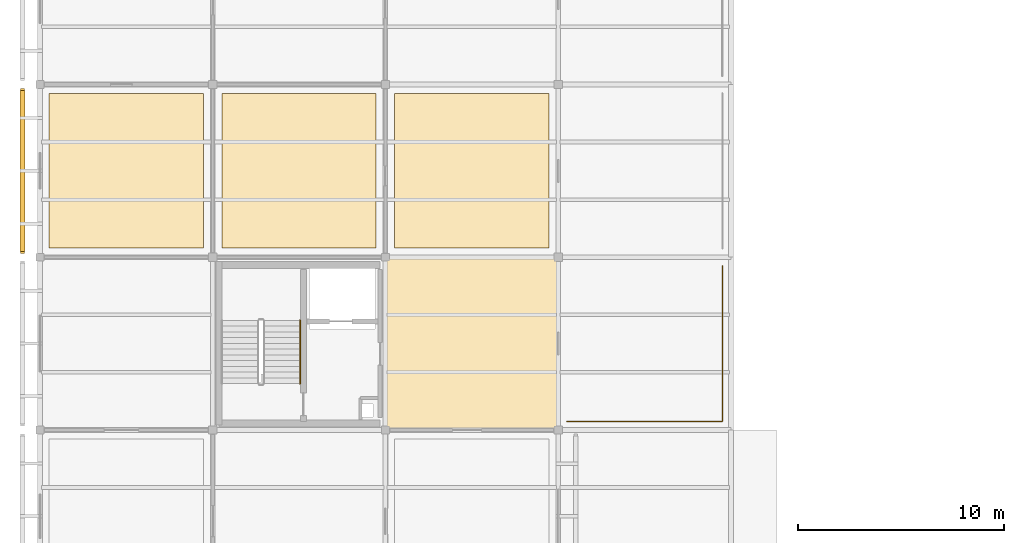
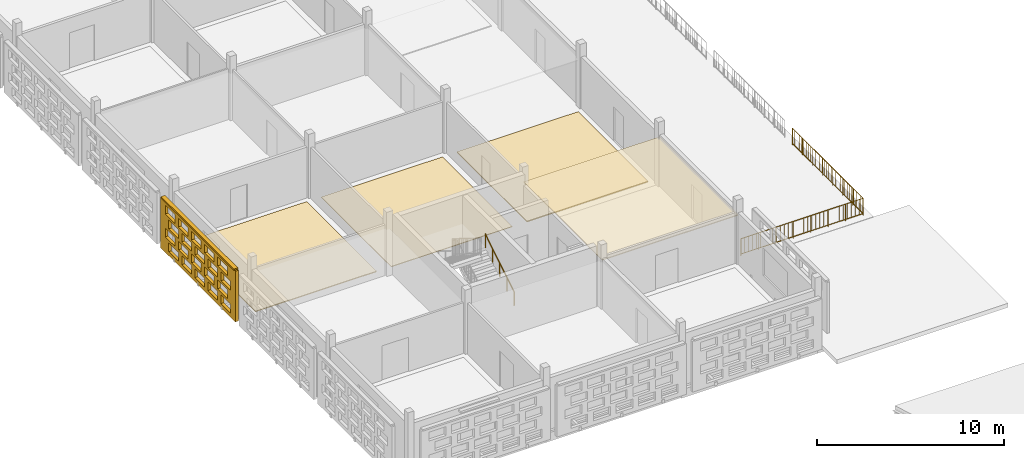
# One storey, part 25 of 31: 5 coverings, 3 railings, 1 shading device, 20 openings.
"""IFC4 building model written with IfcOpenShell, lengths in metres."""

from ifc_helpers import new_model, si_unit, direction, frame, frame_2d, origin, origin_2d, place, context, subcontext, project, spatial, rectangle, circle, extrude, material, layer, layer_set, type_object, element, save


model = new_model("IFC4")

# Units and contexts
model_context = context("Model", 3, precision=1e-05, world=origin(), true_north=direction((0.0, 1.0)))
body_context = subcontext(model_context, "Body", "Model", "MODEL_VIEW")
ifc_project = project(units=[si_unit("LENGTHUNIT", "METRE"), si_unit("AREAUNIT", "SQUARE_METRE"), si_unit("VOLUMEUNIT", "CUBIC_METRE"), si_unit("PLANEANGLEUNIT", "RADIAN"), si_unit("MASSUNIT", "GRAM", prefix="KILO")], contexts=[model_context])

# Site, building, storey
site_placement = place(None, origin())
site = spatial("IfcSite", under=ifc_project, at=site_placement, CompositionType="ELEMENT")
building_placement = place(site_placement, origin())
building = spatial("IfcBuilding", under=site, at=building_placement, Name="Varnapada Polytechnic", CompositionType="ELEMENT")
storey_placement = place(building_placement, frame((0.0, 0.0, 22.199951171875)))
storey = spatial("IfcBuildingStorey", under=building, at=storey_placement, Name="L05", CompositionType="ELEMENT", Elevation=22.199951171875)

# Coverings
ifc_material_1 = material(Name="Anti-Static Raised Laboratory Flooring")
ifc_layer_1 = layer(ifc_material_1, 0.06005859375)
ifc_layer_set_1 = layer_set([ifc_layer_1], Name="Anti-Static Raised Laboratory Flooring")
covering_type_1 = type_object("IfcCoveringType", Name="Floor Finish FLR-02", PredefinedType="FLOORING", material=ifc_layer_set_1)
covering_1_placement = place(storey_placement, frame((21.0, 71.39990234375, 0.0), z_axis=(0.0, 0.0, 1.0), x_axis=(1.0, 0.0, 0.0)))
element("IfcCovering", 1, at=covering_1_placement, inside=storey, type_object=covering_type_1, Name="L05 floor finish panel (3,9)", PredefinedType="FLOORING", context=body_context, shape_type="SweptSolid", body=[
    extrude(rectangle(XDim=7.5, YDim=7.5, at=origin_2d()), origin(), (0.0, 0.0, 1.0), 0.06005859375),
])
ifc_material_2 = material(Name="End-Grain Timber Studio Block Flooring", Category="wood")
ifc_layer_2 = layer(ifc_material_2, 0.054931640625)
ifc_layer_set_2 = layer_set([ifc_layer_2], Name="End-Grain Timber Studio Block Flooring")
covering_type_2 = type_object("IfcCoveringType", Name="Floor Finish FLR-04", PredefinedType="FLOORING", material=ifc_layer_set_2)
covering_2_placement = place(storey_placement, frame((4.199951171875, 71.39990234375, 0.0), z_axis=(0.0, 0.0, 1.0), x_axis=(1.0, 0.0, 0.0)))
element("IfcCovering", 2, at=covering_2_placement, inside=storey, type_object=covering_type_2, Name="L05 floor finish panel (1,9)", PredefinedType="FLOORING", context=body_context, shape_type="SweptSolid", body=[
    extrude(rectangle(XDim=7.5, YDim=7.5, at=origin_2d()), origin(), (0.0, 0.0, 1.0), 0.054931640625),
])
ifc_material_3 = material(Name="Acoustic Rubber Seminar Flooring")
ifc_layer_3 = layer(ifc_material_3, 0.0400390625)
ifc_layer_set_3 = layer_set([ifc_layer_3], Name="Acoustic Rubber Seminar Flooring")
covering_type_3 = type_object("IfcCoveringType", Name="Floor Finish FLR-06", PredefinedType="FLOORING", material=ifc_layer_set_3)
covering_3_placement = place(storey_placement, frame((12.60009765625, 71.39990234375, 0.0), z_axis=(0.0, 0.0, 1.0), x_axis=(1.0, 0.0, 0.0)))
element("IfcCovering", 3, at=covering_3_placement, inside=storey, type_object=covering_type_3, Name="L05 floor finish panel (2,9)", PredefinedType="FLOORING", context=body_context, shape_type="SweptSolid", body=[
    extrude(rectangle(XDim=7.5, YDim=7.5, at=origin_2d()), origin(), (0.0, 0.0, 1.0), 0.0400390625),
])

# Railing
ifc_material_4 = material(Name="Brushed Stainless Steel 316", Category="steel")
railing_type_1 = type_object("IfcRailingType", Name="Stair Wall Handrail SHR-01", PredefinedType="HANDRAIL", material=ifc_material_4)
railing_1_placement = place(storey_placement, frame((12.64990234375, 61.050048828125, 0.175048828125)))
element("IfcRailing", 4, at=railing_1_placement, inside=storey, type_object=railing_type_1, Name="L05 ST-2 stair handrail 1", PredefinedType="HANDRAIL", context=body_context, shape_type="SweptSolid", body=[
    extrude(circle(Radius=0.02392578125, at=origin_2d()), frame((0.0, 0.0, 0.8759765625), z_axis=(0.0, 0.847979421464, 0.530029150871), x_axis=(-1.0, 0.0, 0.0)), (0.0, 0.0, 1.0), 3.632080078125),
    extrude(circle(Radius=0.02099609375, at=origin_2d()), origin(), (0.0, 0.0, 1.0), 0.851806640625),
    extrude(circle(Radius=0.02099609375, at=origin_2d()), frame((0.0, 0.77001953125, 0.481201171875)), (0.0, 0.0, 1.0), 0.851806640625),
    extrude(circle(Radius=0.02099609375, at=origin_2d()), frame((0.0, 1.5400390625, 0.96240234375)), (0.0, 0.0, 1.0), 0.851806640625),
    extrude(circle(Radius=0.02099609375, at=origin_2d()), frame((0.0, 2.309814453125, 1.44384765625)), (0.0, 0.0, 1.0), 0.851806640625),
    extrude(circle(Radius=0.02099609375, at=origin_2d()), frame((0.0, 3.079833984375, 1.925048828125)), (0.0, 0.0, 1.0), 0.851806640625),
])

# Covering
ifc_material_5 = material(Name="Slatted Merbau Timber Acoustic Ceiling", Category="wood")
ifc_layer_4 = layer(ifc_material_5, 0.054931640625)
ifc_layer_set_4 = layer_set([ifc_layer_4], Name="Slatted Merbau Timber Acoustic Ceiling")
covering_type_4 = type_object("IfcCoveringType", Name="Suspended Ceiling CLG-05", PredefinedType="CEILING", material=ifc_layer_set_4)
covering_4_placement = place(storey_placement, frame((21.0, 63.0, 3.0224609375), z_axis=(0.0, 0.0, 1.0), x_axis=(1.0, 0.0, 0.0)))
element("IfcCovering", 5, at=covering_4_placement, inside=storey, type_object=covering_type_4, Name="L05 suspended acoustic ceiling (3,8)", PredefinedType="CEILING", context=body_context, shape_type="SweptSolid", body=[
    extrude(rectangle(XDim=8.419921875, YDim=8.419921875, at=origin_2d()), origin(), (0.0, 0.0, 1.0), 0.054931640625),
])

# Railings
ifc_material_6 = material(Name="Painted galvanized steel", Category="steel")
railing_type_2 = type_object("IfcRailingType", Name="Terrace Guard Rail GRD-01", PredefinedType="BALUSTRADE", material=ifc_material_6)
railing_2_placement = place(storey_placement, frame((25.6201171875, 59.219970703125, 0.0)))
element("IfcRailing", 6, at=railing_2_placement, inside=storey, type_object=railing_type_2, Name="L05 terrace perimeter guard rail 1", PredefinedType="BALUSTRADE", context=body_context, shape_type="SweptSolid", body=[
    extrude(circle(Radius=0.02392578125, at=origin_2d()), frame((0.0, 0.0, 1.09619140625), z_axis=(1.0, 0.0, 0.0), x_axis=(0.0, 1.0, 0.0)), (0.0, 0.0, 1.0), 7.559814453125),
    extrude(circle(Radius=0.02392578125, at=origin_2d()), frame((0.0, 0.0, 0.10009765625), z_axis=(1.0, 0.0, 0.0), x_axis=(0.0, 1.0, 0.0)), (0.0, 0.0, 1.0), 7.559814453125),
    extrude(circle(Radius=0.02099609375, at=origin_2d()), origin(), (0.0, 0.0, 1.0), 1.072021484375),
    extrude(circle(Radius=0.02099609375, at=origin_2d()), frame((1.080078125, 0.0, 0.0)), (0.0, 0.0, 1.0), 1.072021484375),
    extrude(circle(Radius=0.02099609375, at=origin_2d()), frame((2.159912109375, 0.0, 0.0)), (0.0, 0.0, 1.0), 1.072021484375),
    extrude(circle(Radius=0.02099609375, at=origin_2d()), frame((3.239990234375, 0.0, 0.0)), (0.0, 0.0, 1.0), 1.072021484375),
    extrude(circle(Radius=0.02099609375, at=origin_2d()), frame((4.31982421875, 0.0, 0.0)), (0.0, 0.0, 1.0), 1.072021484375),
    extrude(circle(Radius=0.02099609375, at=origin_2d()), frame((5.39990234375, 0.0, 0.0)), (0.0, 0.0, 1.0), 1.072021484375),
    extrude(circle(Radius=0.02099609375, at=origin_2d()), frame((6.479736328125, 0.0, 0.0)), (0.0, 0.0, 1.0), 1.072021484375),
    extrude(circle(Radius=0.02099609375, at=origin_2d()), frame((7.559814453125, 0.0, 0.0)), (0.0, 0.0, 1.0), 1.072021484375),
    extrude(circle(Radius=0.010009765625, at=origin_2d()), frame((0.243896484375, 0.0, 0.10009765625)), (0.0, 0.0, 1.0), 0.971923828125),
    extrude(circle(Radius=0.010009765625, at=origin_2d()), frame((0.48779296875, 0.0, 0.10009765625)), (0.0, 0.0, 1.0), 0.971923828125),
    extrude(circle(Radius=0.010009765625, at=origin_2d()), frame((0.731689453125, 0.0, 0.10009765625)), (0.0, 0.0, 1.0), 0.971923828125),
    extrude(circle(Radius=0.010009765625, at=origin_2d()), frame((0.975341796875, 0.0, 0.10009765625)), (0.0, 0.0, 1.0), 0.971923828125),
    extrude(circle(Radius=0.010009765625, at=origin_2d()), frame((1.21923828125, 0.0, 0.10009765625)), (0.0, 0.0, 1.0), 0.971923828125),
    extrude(circle(Radius=0.010009765625, at=origin_2d()), frame((1.463134765625, 0.0, 0.10009765625)), (0.0, 0.0, 1.0), 0.971923828125),
    extrude(circle(Radius=0.010009765625, at=origin_2d()), frame((1.70703125, 0.0, 0.10009765625)), (0.0, 0.0, 1.0), 0.971923828125),
    extrude(circle(Radius=0.010009765625, at=origin_2d()), frame((1.950927734375, 0.0, 0.10009765625)), (0.0, 0.0, 1.0), 0.971923828125),
    extrude(circle(Radius=0.010009765625, at=origin_2d()), frame((2.19482421875, 0.0, 0.10009765625)), (0.0, 0.0, 1.0), 0.971923828125),
    extrude(circle(Radius=0.010009765625, at=origin_2d()), frame((2.438720703125, 0.0, 0.10009765625)), (0.0, 0.0, 1.0), 0.971923828125),
    extrude(circle(Radius=0.010009765625, at=origin_2d()), frame((2.6826171875, 0.0, 0.10009765625)), (0.0, 0.0, 1.0), 0.971923828125),
    extrude(circle(Radius=0.010009765625, at=origin_2d()), frame((2.92626953125, 0.0, 0.10009765625)), (0.0, 0.0, 1.0), 0.971923828125),
    extrude(circle(Radius=0.010009765625, at=origin_2d()), frame((3.170166015625, 0.0, 0.10009765625)), (0.0, 0.0, 1.0), 0.971923828125),
    extrude(circle(Radius=0.010009765625, at=origin_2d()), frame((3.4140625, 0.0, 0.10009765625)), (0.0, 0.0, 1.0), 0.971923828125),
    extrude(circle(Radius=0.010009765625, at=origin_2d()), frame((3.657958984375, 0.0, 0.10009765625)), (0.0, 0.0, 1.0), 0.971923828125),
    extrude(circle(Radius=0.010009765625, at=origin_2d()), frame((3.90185546875, 0.0, 0.10009765625)), (0.0, 0.0, 1.0), 0.971923828125),
    extrude(circle(Radius=0.010009765625, at=origin_2d()), frame((4.145751953125, 0.0, 0.10009765625)), (0.0, 0.0, 1.0), 0.971923828125),
    extrude(circle(Radius=0.010009765625, at=origin_2d()), frame((4.3896484375, 0.0, 0.10009765625)), (0.0, 0.0, 1.0), 0.971923828125),
    extrude(circle(Radius=0.010009765625, at=origin_2d()), frame((4.633544921875, 0.0, 0.10009765625)), (0.0, 0.0, 1.0), 0.971923828125),
    extrude(circle(Radius=0.010009765625, at=origin_2d()), frame((4.877197265625, 0.0, 0.10009765625)), (0.0, 0.0, 1.0), 0.971923828125),
    extrude(circle(Radius=0.010009765625, at=origin_2d()), frame((5.12109375, 0.0, 0.10009765625)), (0.0, 0.0, 1.0), 0.971923828125),
    extrude(circle(Radius=0.010009765625, at=origin_2d()), frame((5.364990234375, 0.0, 0.10009765625)), (0.0, 0.0, 1.0), 0.971923828125),
    extrude(circle(Radius=0.010009765625, at=origin_2d()), frame((5.60888671875, 0.0, 0.10009765625)), (0.0, 0.0, 1.0), 0.971923828125),
    extrude(circle(Radius=0.010009765625, at=origin_2d()), frame((5.852783203125, 0.0, 0.10009765625)), (0.0, 0.0, 1.0), 0.971923828125),
    extrude(circle(Radius=0.010009765625, at=origin_2d()), frame((6.0966796875, 0.0, 0.10009765625)), (0.0, 0.0, 1.0), 0.971923828125),
    extrude(circle(Radius=0.010009765625, at=origin_2d()), frame((6.340576171875, 0.0, 0.10009765625)), (0.0, 0.0, 1.0), 0.971923828125),
    extrude(circle(Radius=0.010009765625, at=origin_2d()), frame((6.58447265625, 0.0, 0.10009765625)), (0.0, 0.0, 1.0), 0.971923828125),
    extrude(circle(Radius=0.010009765625, at=origin_2d()), frame((6.828125, 0.0, 0.10009765625)), (0.0, 0.0, 1.0), 0.971923828125),
    extrude(circle(Radius=0.010009765625, at=origin_2d()), frame((7.072021484375, 0.0, 0.10009765625)), (0.0, 0.0, 1.0), 0.971923828125),
    extrude(circle(Radius=0.010009765625, at=origin_2d()), frame((7.31591796875, 0.0, 0.10009765625)), (0.0, 0.0, 1.0), 0.971923828125),
])
railing_3_placement = place(storey_placement, frame((33.179931640625, 59.219970703125, 0.0)))
element("IfcRailing", 7, at=railing_3_placement, inside=storey, type_object=railing_type_2, Name="L05 terrace perimeter guard rail 2", PredefinedType="BALUSTRADE", context=body_context, shape_type="SweptSolid", body=[
    extrude(circle(Radius=0.02392578125, at=origin_2d()), frame((0.0, 0.0, 1.09619140625), z_axis=(0.0, 1.0, 0.0), x_axis=(-1.0, 0.0, 0.0)), (0.0, 0.0, 1.0), 7.56005859375),
    extrude(circle(Radius=0.02392578125, at=origin_2d()), frame((0.0, 0.0, 0.10009765625), z_axis=(0.0, 1.0, 0.0), x_axis=(-1.0, 0.0, 0.0)), (0.0, 0.0, 1.0), 7.56005859375),
    extrude(circle(Radius=0.02099609375, at=origin_2d()), origin(), (0.0, 0.0, 1.0), 1.072021484375),
    extrude(circle(Radius=0.02099609375, at=origin_2d()), frame((0.0, 1.080078125, 0.0)), (0.0, 0.0, 1.0), 1.072021484375),
    extrude(circle(Radius=0.02099609375, at=origin_2d()), frame((0.0, 2.159912109375, 0.0)), (0.0, 0.0, 1.0), 1.072021484375),
    extrude(circle(Radius=0.02099609375, at=origin_2d()), frame((0.0, 3.239990234375, 0.0)), (0.0, 0.0, 1.0), 1.072021484375),
    extrude(circle(Radius=0.02099609375, at=origin_2d()), frame((0.0, 4.320068359375, 0.0)), (0.0, 0.0, 1.0), 1.072021484375),
    extrude(circle(Radius=0.02099609375, at=origin_2d()), frame((0.0, 5.400146484375, 0.0)), (0.0, 0.0, 1.0), 1.072021484375),
    extrude(circle(Radius=0.02099609375, at=origin_2d()), frame((0.0, 6.47998046875, 0.0)), (0.0, 0.0, 1.0), 1.072021484375),
    extrude(circle(Radius=0.02099609375, at=origin_2d()), frame((0.0, 7.56005859375, 0.0)), (0.0, 0.0, 1.0), 1.072021484375),
    extrude(circle(Radius=0.010009765625, at=origin_2d()), frame((0.0, 0.243896484375, 0.10009765625)), (0.0, 0.0, 1.0), 0.971923828125),
    extrude(circle(Radius=0.010009765625, at=origin_2d()), frame((0.0, 0.48779296875, 0.10009765625)), (0.0, 0.0, 1.0), 0.971923828125),
    extrude(circle(Radius=0.010009765625, at=origin_2d()), frame((0.0, 0.731689453125, 0.10009765625)), (0.0, 0.0, 1.0), 0.971923828125),
    extrude(circle(Radius=0.010009765625, at=origin_2d()), frame((0.0, 0.9755859375, 0.10009765625)), (0.0, 0.0, 1.0), 0.971923828125),
    extrude(circle(Radius=0.010009765625, at=origin_2d()), frame((0.0, 1.219482421875, 0.10009765625)), (0.0, 0.0, 1.0), 0.971923828125),
    extrude(circle(Radius=0.010009765625, at=origin_2d()), frame((0.0, 1.463134765625, 0.10009765625)), (0.0, 0.0, 1.0), 0.971923828125),
    extrude(circle(Radius=0.010009765625, at=origin_2d()), frame((0.0, 1.70703125, 0.10009765625)), (0.0, 0.0, 1.0), 0.971923828125),
    extrude(circle(Radius=0.010009765625, at=origin_2d()), frame((0.0, 1.950927734375, 0.10009765625)), (0.0, 0.0, 1.0), 0.971923828125),
    extrude(circle(Radius=0.010009765625, at=origin_2d()), frame((0.0, 2.19482421875, 0.10009765625)), (0.0, 0.0, 1.0), 0.971923828125),
    extrude(circle(Radius=0.010009765625, at=origin_2d()), frame((0.0, 2.438720703125, 0.10009765625)), (0.0, 0.0, 1.0), 0.971923828125),
    extrude(circle(Radius=0.010009765625, at=origin_2d()), frame((0.0, 2.6826171875, 0.10009765625)), (0.0, 0.0, 1.0), 0.971923828125),
    extrude(circle(Radius=0.010009765625, at=origin_2d()), frame((0.0, 2.926513671875, 0.10009765625)), (0.0, 0.0, 1.0), 0.971923828125),
    extrude(circle(Radius=0.010009765625, at=origin_2d()), frame((0.0, 3.17041015625, 0.10009765625)), (0.0, 0.0, 1.0), 0.971923828125),
    extrude(circle(Radius=0.010009765625, at=origin_2d()), frame((0.0, 3.414306640625, 0.10009765625)), (0.0, 0.0, 1.0), 0.971923828125),
    extrude(circle(Radius=0.010009765625, at=origin_2d()), frame((0.0, 3.658203125, 0.10009765625)), (0.0, 0.0, 1.0), 0.971923828125),
    extrude(circle(Radius=0.010009765625, at=origin_2d()), frame((0.0, 3.90185546875, 0.10009765625)), (0.0, 0.0, 1.0), 0.971923828125),
    extrude(circle(Radius=0.010009765625, at=origin_2d()), frame((0.0, 4.145751953125, 0.10009765625)), (0.0, 0.0, 1.0), 0.971923828125),
    extrude(circle(Radius=0.010009765625, at=origin_2d()), frame((0.0, 4.3896484375, 0.10009765625)), (0.0, 0.0, 1.0), 0.971923828125),
    extrude(circle(Radius=0.010009765625, at=origin_2d()), frame((0.0, 4.633544921875, 0.10009765625)), (0.0, 0.0, 1.0), 0.971923828125),
    extrude(circle(Radius=0.010009765625, at=origin_2d()), frame((0.0, 4.87744140625, 0.10009765625)), (0.0, 0.0, 1.0), 0.971923828125),
    extrude(circle(Radius=0.010009765625, at=origin_2d()), frame((0.0, 5.121337890625, 0.10009765625)), (0.0, 0.0, 1.0), 0.971923828125),
    extrude(circle(Radius=0.010009765625, at=origin_2d()), frame((0.0, 5.365234375, 0.10009765625)), (0.0, 0.0, 1.0), 0.971923828125),
    extrude(circle(Radius=0.010009765625, at=origin_2d()), frame((0.0, 5.609130859375, 0.10009765625)), (0.0, 0.0, 1.0), 0.971923828125),
    extrude(circle(Radius=0.010009765625, at=origin_2d()), frame((0.0, 5.85302734375, 0.10009765625)), (0.0, 0.0, 1.0), 0.971923828125),
    extrude(circle(Radius=0.010009765625, at=origin_2d()), frame((0.0, 6.096923828125, 0.10009765625)), (0.0, 0.0, 1.0), 0.971923828125),
    extrude(circle(Radius=0.010009765625, at=origin_2d()), frame((0.0, 6.340576171875, 0.10009765625)), (0.0, 0.0, 1.0), 0.971923828125),
    extrude(circle(Radius=0.010009765625, at=origin_2d()), frame((0.0, 6.58447265625, 0.10009765625)), (0.0, 0.0, 1.0), 0.971923828125),
    extrude(circle(Radius=0.010009765625, at=origin_2d()), frame((0.0, 6.828369140625, 0.10009765625)), (0.0, 0.0, 1.0), 0.971923828125),
    extrude(circle(Radius=0.010009765625, at=origin_2d()), frame((0.0, 7.072265625, 0.10009765625)), (0.0, 0.0, 1.0), 0.971923828125),
    extrude(circle(Radius=0.010009765625, at=origin_2d()), frame((0.0, 7.316162109375, 0.10009765625)), (0.0, 0.0, 1.0), 0.971923828125),
])

# Covering, openings
ifc_material_7 = material(Name="Earth-toned architectural terracotta screen block", Category="masonry")
ifc_layer_5 = layer(ifc_material_7, 0.1201171875)
ifc_layer_set_5 = layer_set([ifc_layer_5], Name="Earth-toned architectural terracotta screen block")
covering_type_5 = type_object("IfcCoveringType", Name="Terracotta Screen Cladding CLD-01", PredefinedType="CLADDING", material=ifc_layer_set_5)
covering_5_placement = place(storey_placement, frame((-0.85009765625, 67.389892578125, 0.0), z_axis=(0.0, 0.0, 1.0), x_axis=(0.0, 1.0, 0.0)))
covering_5 = element("IfcCovering", 8, at=covering_5_placement, inside=storey, type_object=covering_type_5, Name="L05 perforated terracotta block screen (4)", PredefinedType="CLADDING", context=body_context, shape_type="SweptSolid", body=[
    extrude(rectangle(XDim=8.02001953125, YDim=0.179931640625, at=frame_2d((4.010009765625, 0.0))), origin(), (0.0, 0.0, 1.0), 3.320068359375),
])
opening_1_placement = place(covering_5_placement, frame((0.510009765625, 0.0, 0.265625)))
element("IfcOpeningElement", 9, at=opening_1_placement, cuts=covering_5, Name="Screen perforation TBS-L05-003.1", PredefinedType="OPENING", context=body_context, shape_type="SweptSolid", body=[
    extrude(rectangle(XDim=1.0400390625, YDim=0.5810546875, at=frame_2d((0.52001953125, 0.29052734375))), frame((0.0, 0.099853515625, 0.0), z_axis=(0.0, -1.0, 0.0), x_axis=(1.0, 0.0, 0.0)), (0.0, 0.0, 1.0), 0.199951171875),
])
opening_2_placement = place(covering_5_placement, frame((1.909912109375, 0.0, 0.265625)))
element("IfcOpeningElement", 10, at=opening_2_placement, cuts=covering_5, Name="Screen perforation TBS-L05-003.2", PredefinedType="OPENING", context=body_context, shape_type="SweptSolid", body=[
    extrude(rectangle(XDim=1.0400390625, YDim=0.5810546875, at=frame_2d((0.52001953125, 0.29052734375))), frame((0.0, 0.099853515625, 0.0), z_axis=(0.0, -1.0, 0.0), x_axis=(1.0, 0.0, 0.0)), (0.0, 0.0, 1.0), 0.199951171875),
])
opening_3_placement = place(covering_5_placement, frame((3.31005859375, 0.0, 0.265625)))
element("IfcOpeningElement", 11, at=opening_3_placement, cuts=covering_5, Name="Screen perforation TBS-L05-003.3", PredefinedType="OPENING", context=body_context, shape_type="SweptSolid", body=[
    extrude(rectangle(XDim=1.0400390625, YDim=0.5810546875, at=frame_2d((0.52001953125, 0.29052734375))), frame((0.0, 0.099853515625, 0.0), z_axis=(0.0, -1.0, 0.0), x_axis=(1.0, 0.0, 0.0)), (0.0, 0.0, 1.0), 0.199951171875),
])
opening_4_placement = place(covering_5_placement, frame((4.7099609375, 0.0, 0.265625)))
element("IfcOpeningElement", 12, at=opening_4_placement, cuts=covering_5, Name="Screen perforation TBS-L05-003.4", PredefinedType="OPENING", context=body_context, shape_type="SweptSolid", body=[
    extrude(rectangle(XDim=1.0400390625, YDim=0.5810546875, at=frame_2d((0.52001953125, 0.29052734375))), frame((0.0, 0.099853515625, 0.0), z_axis=(0.0, -1.0, 0.0), x_axis=(1.0, 0.0, 0.0)), (0.0, 0.0, 1.0), 0.199951171875),
])
opening_5_placement = place(covering_5_placement, frame((6.110107421875, 0.0, 0.265625)))
element("IfcOpeningElement", 13, at=opening_5_placement, cuts=covering_5, Name="Screen perforation TBS-L05-003.5", PredefinedType="OPENING", context=body_context, shape_type="SweptSolid", body=[
    extrude(rectangle(XDim=1.0400390625, YDim=0.5810546875, at=frame_2d((0.52001953125, 0.29052734375))), frame((0.0, 0.099853515625, 0.0), z_axis=(0.0, -1.0, 0.0), x_axis=(1.0, 0.0, 0.0)), (0.0, 0.0, 1.0), 0.199951171875),
])
opening_6_placement = place(covering_5_placement, frame((0.8701171875, 0.0, 1.0126953125)))
element("IfcOpeningElement", 14, at=opening_6_placement, cuts=covering_5, Name="Screen perforation TBS-L05-003.6", PredefinedType="OPENING", context=body_context, shape_type="SweptSolid", body=[
    extrude(rectangle(XDim=1.0400390625, YDim=0.5810546875, at=frame_2d((0.52001953125, 0.29052734375))), frame((0.0, 0.099853515625, 0.0), z_axis=(0.0, -1.0, 0.0), x_axis=(1.0, 0.0, 0.0)), (0.0, 0.0, 1.0), 0.199951171875),
])
opening_7_placement = place(covering_5_placement, frame((2.27001953125, 0.0, 1.0126953125)))
element("IfcOpeningElement", 15, at=opening_7_placement, cuts=covering_5, Name="Screen perforation TBS-L05-003.7", PredefinedType="OPENING", context=body_context, shape_type="SweptSolid", body=[
    extrude(rectangle(XDim=1.0400390625, YDim=0.5810546875, at=frame_2d((0.52001953125, 0.29052734375))), frame((0.0, 0.099853515625, 0.0), z_axis=(0.0, -1.0, 0.0), x_axis=(1.0, 0.0, 0.0)), (0.0, 0.0, 1.0), 0.199951171875),
])
opening_8_placement = place(covering_5_placement, frame((3.669921875, 0.0, 1.0126953125)))
element("IfcOpeningElement", 16, at=opening_8_placement, cuts=covering_5, Name="Screen perforation TBS-L05-003.8", PredefinedType="OPENING", context=body_context, shape_type="SweptSolid", body=[
    extrude(rectangle(XDim=1.0400390625, YDim=0.5810546875, at=frame_2d((0.52001953125, 0.29052734375))), frame((0.0, 0.099853515625, 0.0), z_axis=(0.0, -1.0, 0.0), x_axis=(1.0, 0.0, 0.0)), (0.0, 0.0, 1.0), 0.199951171875),
])
opening_9_placement = place(covering_5_placement, frame((5.070068359375, 0.0, 1.0126953125)))
element("IfcOpeningElement", 17, at=opening_9_placement, cuts=covering_5, Name="Screen perforation TBS-L05-003.9", PredefinedType="OPENING", context=body_context, shape_type="SweptSolid", body=[
    extrude(rectangle(XDim=1.0400390625, YDim=0.5810546875, at=frame_2d((0.52001953125, 0.29052734375))), frame((0.0, 0.099853515625, 0.0), z_axis=(0.0, -1.0, 0.0), x_axis=(1.0, 0.0, 0.0)), (0.0, 0.0, 1.0), 0.199951171875),
])
opening_10_placement = place(covering_5_placement, frame((6.469970703125, 0.0, 1.0126953125)))
element("IfcOpeningElement", 18, at=opening_10_placement, cuts=covering_5, Name="Screen perforation TBS-L05-003.10", PredefinedType="OPENING", context=body_context, shape_type="SweptSolid", body=[
    extrude(rectangle(XDim=1.0400390625, YDim=0.5810546875, at=frame_2d((0.52001953125, 0.29052734375))), frame((0.0, 0.099853515625, 0.0), z_axis=(0.0, -1.0, 0.0), x_axis=(1.0, 0.0, 0.0)), (0.0, 0.0, 1.0), 0.199951171875),
])
opening_11_placement = place(covering_5_placement, frame((0.510009765625, 0.0, 1.759521484375)))
element("IfcOpeningElement", 19, at=opening_11_placement, cuts=covering_5, Name="Screen perforation TBS-L05-003.11", PredefinedType="OPENING", context=body_context, shape_type="SweptSolid", body=[
    extrude(rectangle(XDim=1.0400390625, YDim=0.5810546875, at=frame_2d((0.52001953125, 0.29052734375))), frame((0.0, 0.099853515625, 0.0), z_axis=(0.0, -1.0, 0.0), x_axis=(1.0, 0.0, 0.0)), (0.0, 0.0, 1.0), 0.199951171875),
])
opening_12_placement = place(covering_5_placement, frame((1.909912109375, 0.0, 1.759521484375)))
element("IfcOpeningElement", 20, at=opening_12_placement, cuts=covering_5, Name="Screen perforation TBS-L05-003.12", PredefinedType="OPENING", context=body_context, shape_type="SweptSolid", body=[
    extrude(rectangle(XDim=1.0400390625, YDim=0.5810546875, at=frame_2d((0.52001953125, 0.29052734375))), frame((0.0, 0.099853515625, 0.0), z_axis=(0.0, -1.0, 0.0), x_axis=(1.0, 0.0, 0.0)), (0.0, 0.0, 1.0), 0.199951171875),
])
opening_13_placement = place(covering_5_placement, frame((3.31005859375, 0.0, 1.759521484375)))
element("IfcOpeningElement", 21, at=opening_13_placement, cuts=covering_5, Name="Screen perforation TBS-L05-003.13", PredefinedType="OPENING", context=body_context, shape_type="SweptSolid", body=[
    extrude(rectangle(XDim=1.0400390625, YDim=0.5810546875, at=frame_2d((0.52001953125, 0.29052734375))), frame((0.0, 0.099853515625, 0.0), z_axis=(0.0, -1.0, 0.0), x_axis=(1.0, 0.0, 0.0)), (0.0, 0.0, 1.0), 0.199951171875),
])
opening_14_placement = place(covering_5_placement, frame((4.7099609375, 0.0, 1.759521484375)))
element("IfcOpeningElement", 22, at=opening_14_placement, cuts=covering_5, Name="Screen perforation TBS-L05-003.14", PredefinedType="OPENING", context=body_context, shape_type="SweptSolid", body=[
    extrude(rectangle(XDim=1.0400390625, YDim=0.5810546875, at=frame_2d((0.52001953125, 0.29052734375))), frame((0.0, 0.099853515625, 0.0), z_axis=(0.0, -1.0, 0.0), x_axis=(1.0, 0.0, 0.0)), (0.0, 0.0, 1.0), 0.199951171875),
])
opening_15_placement = place(covering_5_placement, frame((6.110107421875, 0.0, 1.759521484375)))
element("IfcOpeningElement", 23, at=opening_15_placement, cuts=covering_5, Name="Screen perforation TBS-L05-003.15", PredefinedType="OPENING", context=body_context, shape_type="SweptSolid", body=[
    extrude(rectangle(XDim=1.0400390625, YDim=0.5810546875, at=frame_2d((0.52001953125, 0.29052734375))), frame((0.0, 0.099853515625, 0.0), z_axis=(0.0, -1.0, 0.0), x_axis=(1.0, 0.0, 0.0)), (0.0, 0.0, 1.0), 0.199951171875),
])
opening_16_placement = place(covering_5_placement, frame((0.8701171875, 0.0, 2.506591796875)))
element("IfcOpeningElement", 24, at=opening_16_placement, cuts=covering_5, Name="Screen perforation TBS-L05-003.16", PredefinedType="OPENING", context=body_context, shape_type="SweptSolid", body=[
    extrude(rectangle(XDim=1.0400390625, YDim=0.5810546875, at=frame_2d((0.52001953125, 0.29052734375))), frame((0.0, 0.099853515625, 0.0), z_axis=(0.0, -1.0, 0.0), x_axis=(1.0, 0.0, 0.0)), (0.0, 0.0, 1.0), 0.199951171875),
])
opening_17_placement = place(covering_5_placement, frame((2.27001953125, 0.0, 2.506591796875)))
element("IfcOpeningElement", 25, at=opening_17_placement, cuts=covering_5, Name="Screen perforation TBS-L05-003.17", PredefinedType="OPENING", context=body_context, shape_type="SweptSolid", body=[
    extrude(rectangle(XDim=1.0400390625, YDim=0.5810546875, at=frame_2d((0.52001953125, 0.29052734375))), frame((0.0, 0.099853515625, 0.0), z_axis=(0.0, -1.0, 0.0), x_axis=(1.0, 0.0, 0.0)), (0.0, 0.0, 1.0), 0.199951171875),
])
opening_18_placement = place(covering_5_placement, frame((3.669921875, 0.0, 2.506591796875)))
element("IfcOpeningElement", 26, at=opening_18_placement, cuts=covering_5, Name="Screen perforation TBS-L05-003.18", PredefinedType="OPENING", context=body_context, shape_type="SweptSolid", body=[
    extrude(rectangle(XDim=1.0400390625, YDim=0.5810546875, at=frame_2d((0.52001953125, 0.29052734375))), frame((0.0, 0.099853515625, 0.0), z_axis=(0.0, -1.0, 0.0), x_axis=(1.0, 0.0, 0.0)), (0.0, 0.0, 1.0), 0.199951171875),
])
opening_19_placement = place(covering_5_placement, frame((5.070068359375, 0.0, 2.506591796875)))
element("IfcOpeningElement", 27, at=opening_19_placement, cuts=covering_5, Name="Screen perforation TBS-L05-003.19", PredefinedType="OPENING", context=body_context, shape_type="SweptSolid", body=[
    extrude(rectangle(XDim=1.0400390625, YDim=0.5810546875, at=frame_2d((0.52001953125, 0.29052734375))), frame((0.0, 0.099853515625, 0.0), z_axis=(0.0, -1.0, 0.0), x_axis=(1.0, 0.0, 0.0)), (0.0, 0.0, 1.0), 0.199951171875),
])
opening_20_placement = place(covering_5_placement, frame((6.469970703125, 0.0, 2.506591796875)))
element("IfcOpeningElement", 28, at=opening_20_placement, cuts=covering_5, Name="Screen perforation TBS-L05-003.20", PredefinedType="OPENING", context=body_context, shape_type="SweptSolid", body=[
    extrude(rectangle(XDim=1.0400390625, YDim=0.5810546875, at=frame_2d((0.52001953125, 0.29052734375))), frame((0.0, 0.099853515625, 0.0), z_axis=(0.0, -1.0, 0.0), x_axis=(1.0, 0.0, 0.0)), (0.0, 0.0, 1.0), 0.199951171875),
])

# Shading device
ifc_layer_6 = layer(ifc_material_7, 0.179931640625)
ifc_layer_set_6 = layer_set([ifc_layer_6], Name="Earth-toned architectural terracotta screen block")
shading_device_type = type_object("IfcShadingDeviceType", Name="Terracotta Screen SCR-01", PredefinedType="USERDEFINED", material=ifc_layer_set_6)
shading_device_placement = place(storey_placement, frame((-0.85009765625, 71.39990234375, 3.31005859375), z_axis=(0.0, 0.0, 1.0), x_axis=(0.0, 1.0, 0.0)))
element("IfcShadingDevice", 29, at=shading_device_placement, inside=storey, type_object=shading_device_type, Name="L05 perforated terracotta screen hood 479", ObjectType="SCREEN", PredefinedType="USERDEFINED", context=body_context, shape_type="SweptSolid", body=[
    extrude(rectangle(XDim=7.820068359375, YDim=0.239990234375, at=origin_2d()), origin(), (0.0, 0.0, 1.0), 0.10009765625),
])

save(model, "model.ifc")
